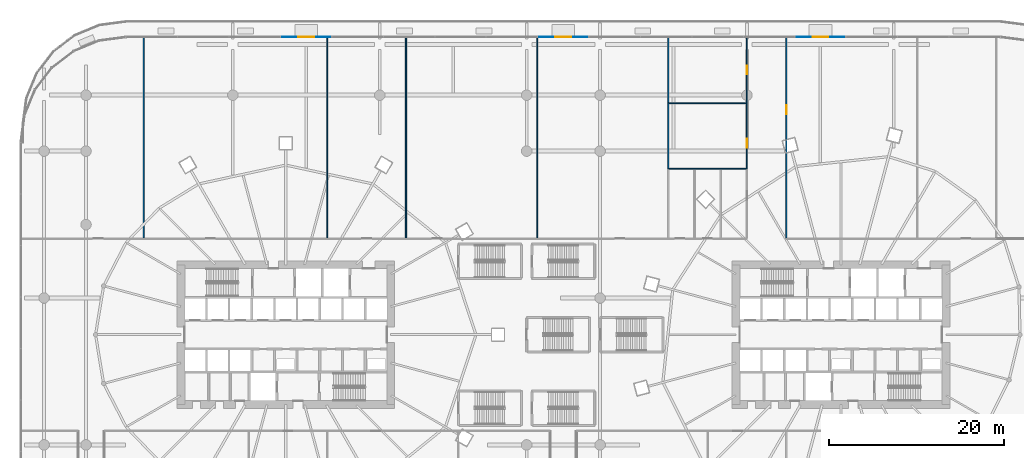
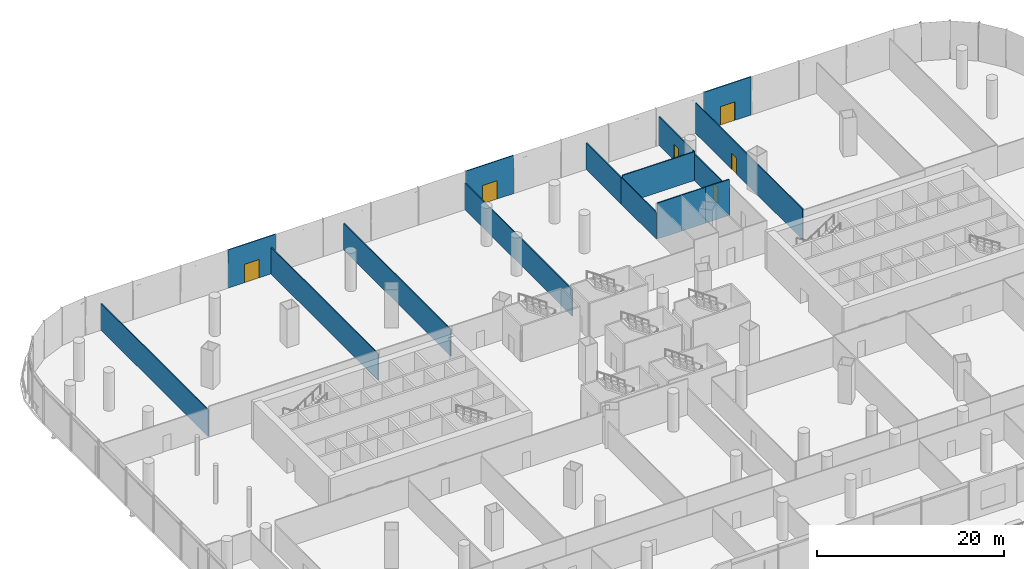
# One storey, part 41 of 51: 16 walls, 6 doors, 6 openings.
"""IFC4 building model written with IfcOpenShell, lengths in metres."""

from ifc_helpers import new_model, si_unit, direction, frame, frame_2d, origin, place, context, subcontext, project, spatial, rectangle, extrude, material, layer, layer_set, type_object, element, fill, save


model = new_model("IFC4")

# Units and contexts
model_context = context("Model", 3, precision=1e-05, world=origin(), true_north=direction((0.0, 1.0)))
body_context = subcontext(model_context, "Body", "Model", "MODEL_VIEW")
ifc_project = project(units=[si_unit("LENGTHUNIT", "METRE"), si_unit("AREAUNIT", "SQUARE_METRE"), si_unit("VOLUMEUNIT", "CUBIC_METRE"), si_unit("PLANEANGLEUNIT", "RADIAN"), si_unit("MASSUNIT", "GRAM", prefix="KILO")], contexts=[model_context])

# Site, building, storey
site_placement = place(None, origin())
site = spatial("IfcSite", under=ifc_project, at=site_placement, CompositionType="ELEMENT")
building_placement = place(site_placement, origin())
building = spatial("IfcBuilding", under=site, at=building_placement, Name="Rimbun Link Towers", CompositionType="ELEMENT")
storey_placement = place(building_placement, frame((0.0, 0.0, 7.0)))
storey = spatial("IfcBuildingStorey", under=building, at=storey_placement, Name="L01", CompositionType="ELEMENT", Elevation=7.0)

# Wall, opening, door
ifc_material_1 = material(Name="Aluminium framed insulated infill panel", Category="aluminium")
ifc_layer_1 = layer(ifc_material_1, 0.10009765625)
ifc_layer_set_1 = layer_set([ifc_layer_1], Name="ED framed infill wall 100")
wall_type_1 = type_object("IfcWallType", Name="ED framed infill wall 100", PredefinedType="STANDARD", material=ifc_layer_set_1)
wall_1_placement = place(storey_placement, frame((26.490478515625, 34.050048828125, 0.0), z_axis=(0.0, 0.0, 1.0), x_axis=(1.0, 0.0, 0.0)))
wall_1 = element("IfcWall", 1, at=wall_1_placement, inside=storey, type_object=wall_type_1, Name="Framed door bay wall", PredefinedType="STANDARD", context=body_context, shape_type="SweptSolid", body=[
    extrude(rectangle(XDim=5.842529296875, YDim=0.10009765625, at=frame_2d((2.92138671875, 0.0))), origin(), (0.0, 0.0, 1.0), 5.0),
])
opening_1_placement = place(wall_1_placement, frame((2.021240234375, 0.0, 0.0)))
opening_1 = element("IfcOpeningElement", 2, at=opening_1_placement, cuts=wall_1, Name="Opening ED23", PredefinedType="OPENING", context=body_context, shape_type="SweptSolid", body=[
    extrude(rectangle(XDim=1.800048828125, YDim=2.39990234375, at=frame_2d((0.89990234375, 1.199951171875))), frame((0.0, 0.06005859375, 0.0), z_axis=(0.0, -1.0, 0.0), x_axis=(1.0, 0.0, 0.0)), (0.0, 0.0, 1.0), 0.1201171875),
])
ifc_material_2 = material(Name="Aluminium framed glazed door, low-iron glass", Category="aluminium")
door_type_1 = type_object("IfcDoorType", Name="ED terrace door double leaf 1800X2400", OperationType="DOUBLE_DOOR_SINGLE_SWING", PredefinedType="DOOR", material=ifc_material_2)
door_1_placement = place(opening_1_placement, origin())
door_1 = element("IfcDoor", 3, at=door_1_placement, inside=storey, type_object=door_type_1, Name="Terrace door", OperationType="SINGLE_SWING_LEFT", OverallHeight=2.39990234375, OverallWidth=1.800048828125, PredefinedType="DOOR", context=body_context, shape_type="SweptSolid", body=[
    extrude(rectangle(XDim=1.800048828125, YDim=2.39990234375, at=frame_2d((0.89990234375, 1.199951171875))), frame((0.0, 0.02490234375, 0.0), z_axis=(0.0, -1.0, 0.0), x_axis=(1.0, 0.0, 0.0)), (0.0, 0.0, 1.0), 0.050048828125),
])
fill(opening_1, door_1)

wall_2_placement = place(storey_placement, frame((-2.921142578125, 34.050048828125, 0.0), z_axis=(0.0, 0.0, 1.0), x_axis=(1.0, 0.0, 0.0)))
wall_2 = element("IfcWall", 4, at=wall_2_placement, inside=storey, type_object=wall_type_1, Name="Framed door bay wall", PredefinedType="STANDARD", context=body_context, shape_type="SweptSolid", body=[
    extrude(rectangle(XDim=5.84228515625, YDim=0.10009765625, at=frame_2d((2.921142578125, 0.0))), origin(), (0.0, 0.0, 1.0), 5.0),
])
opening_2_placement = place(wall_2_placement, frame((2.021240234375, 0.0, 0.0)))
opening_2 = element("IfcOpeningElement", 5, at=opening_2_placement, cuts=wall_2, Name="Opening ED24", PredefinedType="OPENING", context=body_context, shape_type="SweptSolid", body=[
    extrude(rectangle(XDim=1.800048828125, YDim=2.39990234375, at=frame_2d((0.89990234375, 1.199951171875))), frame((0.0, 0.06005859375, 0.0), z_axis=(0.0, -1.0, 0.0), x_axis=(1.0, 0.0, 0.0)), (0.0, 0.0, 1.0), 0.1201171875),
])
door_2_placement = place(opening_2_placement, origin())
door_2 = element("IfcDoor", 6, at=door_2_placement, inside=storey, type_object=door_type_1, Name="Terrace door", OperationType="SINGLE_SWING_LEFT", OverallHeight=2.39990234375, OverallWidth=1.800048828125, PredefinedType="DOOR", context=body_context, shape_type="SweptSolid", body=[
    extrude(rectangle(XDim=1.800048828125, YDim=2.39990234375, at=frame_2d((0.89990234375, 1.199951171875))), frame((0.0, 0.02490234375, 0.0), z_axis=(0.0, -1.0, 0.0), x_axis=(1.0, 0.0, 0.0)), (0.0, 0.0, 1.0), 0.050048828125),
])
fill(opening_2, door_2)

wall_3_placement = place(storey_placement, frame((-32.3330078125, 34.050048828125, 0.0), z_axis=(0.0, 0.0, 1.0), x_axis=(1.0, 0.0, 0.0)))
wall_3 = element("IfcWall", 7, at=wall_3_placement, inside=storey, type_object=wall_type_1, Name="Framed door bay wall", PredefinedType="STANDARD", context=body_context, shape_type="SweptSolid", body=[
    extrude(rectangle(XDim=5.842529296875, YDim=0.10009765625, at=frame_2d((2.92138671875, 0.0))), origin(), (0.0, 0.0, 1.0), 5.0),
])
opening_3_placement = place(wall_3_placement, frame((2.021240234375, 0.0, 0.0)))
opening_3 = element("IfcOpeningElement", 8, at=opening_3_placement, cuts=wall_3, Name="Opening ED25", PredefinedType="OPENING", context=body_context, shape_type="SweptSolid", body=[
    extrude(rectangle(XDim=1.800048828125, YDim=2.39990234375, at=frame_2d((0.89990234375, 1.199951171875))), frame((0.0, 0.06005859375, 0.0), z_axis=(0.0, -1.0, 0.0), x_axis=(1.0, 0.0, 0.0)), (0.0, 0.0, 1.0), 0.1201171875),
])
door_3_placement = place(opening_3_placement, origin())
door_3 = element("IfcDoor", 9, at=door_3_placement, inside=storey, type_object=door_type_1, Name="Terrace door", OperationType="SINGLE_SWING_LEFT", OverallHeight=2.39990234375, OverallWidth=1.800048828125, PredefinedType="DOOR", context=body_context, shape_type="SweptSolid", body=[
    extrude(rectangle(XDim=1.800048828125, YDim=2.39990234375, at=frame_2d((0.89990234375, 1.199951171875))), frame((0.0, 0.02490234375, 0.0), z_axis=(0.0, -1.0, 0.0), x_axis=(1.0, 0.0, 0.0)), (0.0, 0.0, 1.0), 0.050048828125),
])
fill(opening_3, door_3)

ifc_material_3 = material(Name="Gypsum board on steel studs", Category="steel")
ifc_layer_2 = layer(ifc_material_3, 0.125)
ifc_layer_set_2 = layer_set([ifc_layer_2], Name="Partition 125 board on studs")
wall_type_2 = type_object("IfcWallType", Name="Partition 125 board on studs", PredefinedType="PARTITIONING", material=ifc_layer_set_2)
wall_4_placement = place(storey_placement, frame((21.0, 26.5, 0.0), z_axis=(0.0, 0.0, 1.0), x_axis=(0.0, -1.0, 0.0)))
wall_4 = element("IfcWall", 10, at=wall_4_placement, inside=storey, type_object=wall_type_2, Name="PD/PW/L01/088", PredefinedType="PARTITIONING", context=body_context, shape_type="SweptSolid", body=[
    extrude(rectangle(XDim=7.5, YDim=0.125, at=frame_2d((3.75, 0.0))), origin(), (0.0, 0.0, 1.0), 3.47998046875),
])
opening_4_placement = place(wall_4_placement, frame((4.090087890625, 0.0, 0.0)))
opening_4 = element("IfcOpeningElement", 11, at=opening_4_placement, cuts=wall_4, Name="Opening PD D01.24", PredefinedType="OPENING", context=body_context, shape_type="SweptSolid", body=[
    extrude(rectangle(XDim=1.0, YDim=2.10009765625, at=frame_2d((0.5, 1.050048828125))), frame((0.0, 0.072509765625, 0.0), z_axis=(0.0, -1.0, 0.0), x_axis=(1.0, 0.0, 0.0)), (0.0, 0.0, 1.0), 0.14501953125),
])
ifc_material_4 = material(Name="Timber door set", Category="wood")
door_type_2 = type_object("IfcDoorType", Name="Door single leaf 1000 x 2100", OperationType="NOTDEFINED", PredefinedType="DOOR", material=ifc_material_4)
door_4_placement = place(opening_4_placement, origin())
door_4 = element("IfcDoor", 12, at=door_4_placement, inside=storey, type_object=door_type_2, Name="PD/DR/L01/024", OperationType="SINGLE_SWING_LEFT", OverallHeight=2.10009765625, OverallWidth=1.0, PredefinedType="DOOR", context=body_context, shape_type="SweptSolid", body=[
    extrude(rectangle(XDim=1.0, YDim=2.10009765625, at=frame_2d((0.5, 1.050048828125))), frame((0.0, 0.02490234375, 0.0), z_axis=(0.0, -1.0, 0.0), x_axis=(1.0, 0.0, 0.0)), (0.0, 0.0, 1.0), 0.050048828125),
])
fill(opening_4, door_4)

wall_5_placement = place(storey_placement, frame((21.0, 34.080078125, 0.0), z_axis=(0.0, 0.0, 1.0), x_axis=(0.0, -1.0, 0.0)))
wall_5 = element("IfcWall", 13, at=wall_5_placement, inside=storey, type_object=wall_type_2, Name="PD/PW/L01/089", PredefinedType="PARTITIONING", context=body_context, shape_type="SweptSolid", body=[
    extrude(rectangle(XDim=7.580078125, YDim=0.125, at=frame_2d((3.7900390625, 0.0))), origin(), (0.0, 0.0, 1.0), 3.761962890625),
])
opening_5_placement = place(wall_5_placement, frame((3.2900390625, 0.0, 0.0)))
opening_5 = element("IfcOpeningElement", 14, at=opening_5_placement, cuts=wall_5, Name="Opening PD D01.25", PredefinedType="OPENING", context=body_context, shape_type="SweptSolid", body=[
    extrude(rectangle(XDim=1.0, YDim=2.10009765625, at=frame_2d((0.5, 1.050048828125))), frame((0.0, 0.072509765625, 0.0), z_axis=(0.0, -1.0, 0.0), x_axis=(1.0, 0.0, 0.0)), (0.0, 0.0, 1.0), 0.14501953125),
])
door_5_placement = place(opening_5_placement, origin())
door_5 = element("IfcDoor", 15, at=door_5_placement, inside=storey, type_object=door_type_2, Name="PD/DR/L01/025", OperationType="SINGLE_SWING_RIGHT", OverallHeight=2.10009765625, OverallWidth=1.0, PredefinedType="DOOR", context=body_context, shape_type="SweptSolid", body=[
    extrude(rectangle(XDim=1.0, YDim=2.10009765625, at=frame_2d((0.5, 1.050048828125))), frame((0.0, 0.02490234375, 0.0), z_axis=(0.0, -1.0, 0.0), x_axis=(1.0, 0.0, 0.0)), (0.0, 0.0, 1.0), 0.050048828125),
])
fill(opening_5, door_5)

wall_6_placement = place(storey_placement, frame((25.5, 11.0625, 0.0), z_axis=(0.0, 0.0, 1.0), x_axis=(0.0, 1.0, 0.0)))
wall_6 = element("IfcWall", 16, at=wall_6_placement, inside=storey, type_object=wall_type_2, Name="PD/PW/L01/090", PredefinedType="PARTITIONING", context=body_context, shape_type="SweptSolid", body=[
    extrude(rectangle(XDim=23.017578125, YDim=0.125, at=frame_2d((11.5087890625, 0.0))), origin(), (0.0, 0.0, 1.0), 3.99609375),
])
opening_6_placement = place(wall_6_placement, frame((14.176025390625, 0.0, 0.0)))
opening_6 = element("IfcOpeningElement", 17, at=opening_6_placement, cuts=wall_6, Name="Opening PD D01.31", PredefinedType="OPENING", context=body_context, shape_type="SweptSolid", body=[
    extrude(rectangle(XDim=1.0, YDim=2.10009765625, at=frame_2d((0.5, 1.050048828125))), frame((0.0, 0.072509765625, 0.0), z_axis=(0.0, -1.0, 0.0), x_axis=(1.0, 0.0, 0.0)), (0.0, 0.0, 1.0), 0.14501953125),
])
door_6_placement = place(opening_6_placement, origin())
door_6 = element("IfcDoor", 18, at=door_6_placement, inside=storey, type_object=door_type_2, Name="PD/DR/L01/031", OperationType="SINGLE_SWING_RIGHT", OverallHeight=2.10009765625, OverallWidth=1.0, PredefinedType="DOOR", context=body_context, shape_type="SweptSolid", body=[
    extrude(rectangle(XDim=1.0, YDim=2.10009765625, at=frame_2d((0.5, 1.050048828125))), frame((0.0, 0.02490234375, 0.0), z_axis=(0.0, -1.0, 0.0), x_axis=(1.0, 0.0, 0.0)), (0.0, 0.0, 1.0), 0.050048828125),
])
fill(opening_6, door_6)

# Walls
wall_7_placement = place(storey_placement, frame((15.02001953125, 19.0, 0.0), z_axis=(0.0, 0.0, 1.0), x_axis=(-1.0, 0.0, 0.0)))
element("IfcWall", 19, at=wall_7_placement, inside=storey, type_object=wall_type_2, Name="PD/PW/L01/092", PredefinedType="PARTITIONING", context=body_context, shape_type="SweptSolid", body=[
    extrude(rectangle(XDim=2.95751953125, YDim=0.125, at=frame_2d((1.478759765625, 0.0))), origin(), (0.0, 0.0, 1.0), 4.699951171875),
])
wall_8_placement = place(storey_placement, frame((18.02001953125, 19.0, 0.0), z_axis=(0.0, 0.0, 1.0), x_axis=(-1.0, 0.0, 0.0)))
element("IfcWall", 20, at=wall_8_placement, inside=storey, type_object=wall_type_2, Name="PD/PW/L01/095", PredefinedType="PARTITIONING", context=body_context, shape_type="SweptSolid", body=[
    extrude(rectangle(XDim=3.0400390625, YDim=0.125, at=frame_2d((1.52001953125, 0.0))), origin(), (0.0, 0.0, 1.0), 4.699951171875),
])
wall_9_placement = place(storey_placement, frame((20.9375, 19.0, 0.0), z_axis=(0.0, 0.0, 1.0), x_axis=(-1.0, 0.0, 0.0)))
element("IfcWall", 21, at=wall_9_placement, inside=storey, type_object=wall_type_2, Name="PD/PW/L01/096", PredefinedType="PARTITIONING", context=body_context, shape_type="SweptSolid", body=[
    extrude(rectangle(XDim=2.95751953125, YDim=0.125, at=frame_2d((1.478759765625, 0.0))), origin(), (0.0, 0.0, 1.0), 4.699951171875),
])
wall_10_placement = place(storey_placement, frame((20.9375, 26.5, 0.0), z_axis=(0.0, 0.0, 1.0), x_axis=(-1.0, 0.0, 0.0)))
element("IfcWall", 22, at=wall_10_placement, inside=storey, type_object=wall_type_2, Name="PD/PW/L01/097", PredefinedType="PARTITIONING", context=body_context, shape_type="SweptSolid", body=[
    extrude(rectangle(XDim=8.875, YDim=0.125, at=frame_2d((4.4375, 0.0))), origin(), (0.0, 0.0, 1.0), 3.761962890625),
])
wall_11_placement = place(storey_placement, frame((12.0, 26.52001953125, 0.0), z_axis=(0.0, 0.0, 1.0), x_axis=(0.0, -1.0, 0.0)))
element("IfcWall", 23, at=wall_11_placement, inside=storey, type_object=wall_type_2, Name="PD/PW/L01/098", PredefinedType="PARTITIONING", context=body_context, shape_type="SweptSolid", body=[
    extrude(rectangle(XDim=7.5400390625, YDim=0.125, at=frame_2d((3.77001953125, 0.0))), origin(), (0.0, 0.0, 1.0), 3.47998046875),
])
wall_12_placement = place(storey_placement, frame((12.0, 34.080078125, 0.0), z_axis=(0.0, 0.0, 1.0), x_axis=(0.0, -1.0, 0.0)))
element("IfcWall", 24, at=wall_12_placement, inside=storey, type_object=wall_type_2, Name="PD/PW/L01/099", PredefinedType="PARTITIONING", context=body_context, shape_type="SweptSolid", body=[
    extrude(rectangle(XDim=7.60009765625, YDim=0.125, at=frame_2d((3.800048828125, 0.0))), origin(), (0.0, 0.0, 1.0), 3.47998046875),
])
for number, where, z_axis, x_axis, name in (
    (25, (-48.0, 11.0625, 0.0), (0.0, 0.0, 1.0), (0.0, 1.0, 0.0), "PD/PW/L01/100"),
    (26, (-27.0, 11.0625, 0.0), (0.0, 0.0, 1.0), (0.0, 1.0, 0.0), "PD/PW/L01/101"),
    (27, (-18.0, 11.0625, 0.0), (0.0, 0.0, 1.0), (0.0, 1.0, 0.0), "PD/PW/L01/102"),
    (28, (-3.0, 11.0625, 0.0), (0.0, 0.0, 1.0), (0.0, 1.0, 0.0), "PD/PW/L01/103"),
):
    element("IfcWall", number, at=place(storey_placement, frame(where, z_axis=z_axis, x_axis=x_axis)), inside=storey, type_object=wall_type_2, Name=name, PredefinedType="PARTITIONING", context=body_context, shape_type="SweptSolid", body=[
        extrude(rectangle(XDim=23.017578125, YDim=0.125, at=frame_2d((11.5087890625, 0.0))), origin(), (0.0, 0.0, 1.0), 3.47998046875),
    ])

save(model, "model.ifc")
